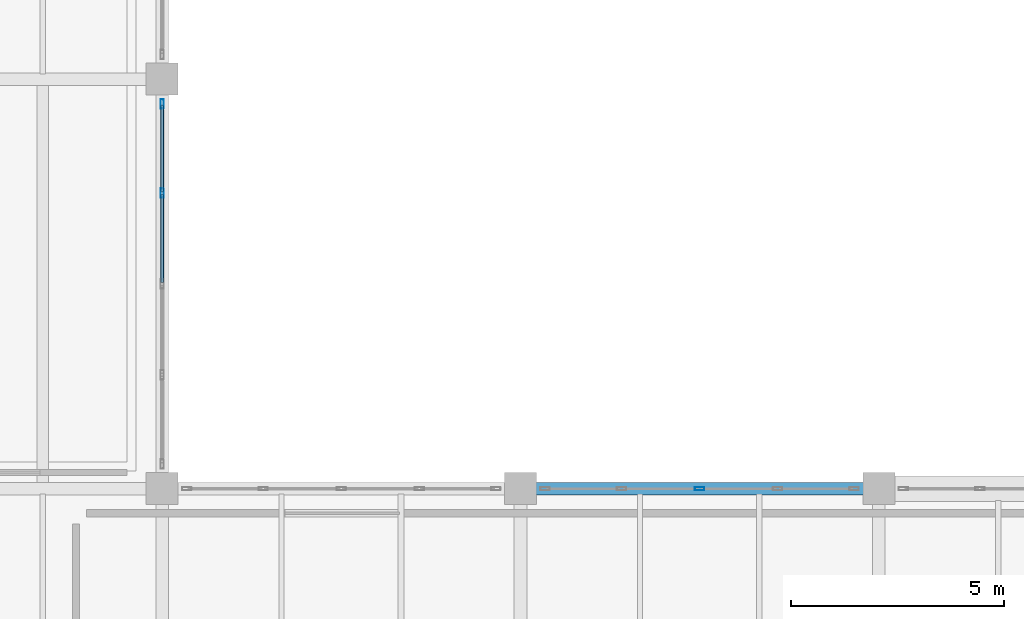
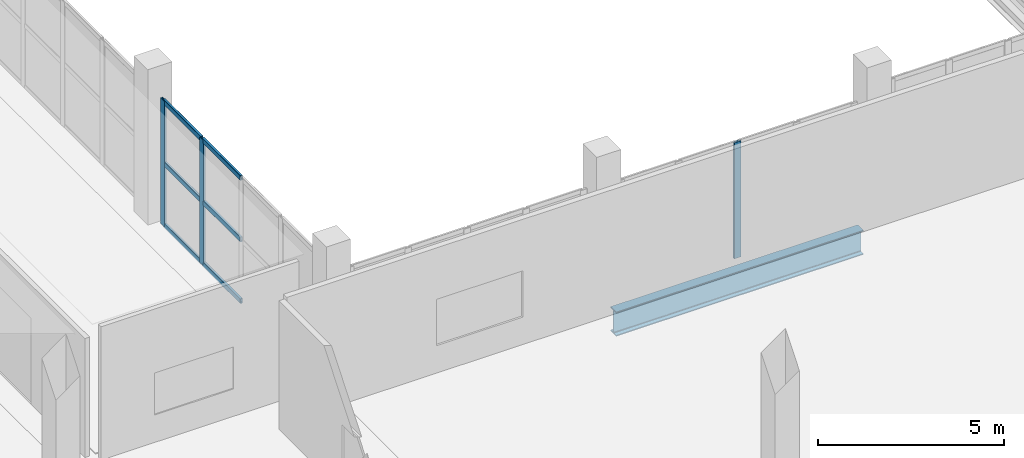
# One storey, part 37 of 77: 9 members, 1 beam, 2 elements without a shape of their own.
"""IFC4 building model written with IfcOpenShell, lengths in metres."""

from ifc_helpers import new_model, si_unit, direction, frame, origin, origin_2d, place, context, subcontext, project, spatial, hollow_rectangle, i_section, extrude, material, layer, layer_set, material_profile, profile_set, type_object, element, aggregate, save


model = new_model("IFC4")

# Units and contexts
model_context = context("Model", 3, precision=1e-05, world=origin(), true_north=direction((0.0, 1.0)))
body_context = subcontext(model_context, "Body", "Model", "MODEL_VIEW")
ifc_project = project(units=[si_unit("LENGTHUNIT", "METRE"), si_unit("AREAUNIT", "SQUARE_METRE"), si_unit("VOLUMEUNIT", "CUBIC_METRE"), si_unit("PLANEANGLEUNIT", "RADIAN"), si_unit("MASSUNIT", "GRAM", prefix="KILO")], contexts=[model_context])

# Site, building, storey
site_placement = place(None, origin())
site = spatial("IfcSite", under=ifc_project, at=site_placement, CompositionType="ELEMENT")
building_placement = place(site_placement, origin())
building = spatial("IfcBuilding", under=site, at=building_placement, Name="Zulmaris Art Gallery", CompositionType="ELEMENT")
storey_placement = place(building_placement, frame((0.0, 0.0, 15.60009765625)))
storey = spatial("IfcBuildingStorey", under=building, at=storey_placement, Name="L03", CompositionType="ELEMENT", Elevation=15.60009765625)

# Beam
ifc_material_1 = material(Name="Steel S355J2", Category="steel")
ifc_material_profile_1 = material_profile(ifc_material_1, i_section(OverallWidth=0.300048828125, OverallDepth=0.800048828125, WebThickness=0.017578125, FlangeThickness=0.032958984375, FilletRadius=0.030029296875, at=origin_2d()), Name="HEB 800")
ifc_profile_set_1 = profile_set([ifc_material_profile_1], Name="Steel S355J2")
beam_type = type_object("IfcBeamType", Name="BEAM-BM17", PredefinedType="BEAM", material=ifc_profile_set_1)
beam_placement = place(storey_placement, frame((167.159912109375, 31.199951171875, -0.77001953125), z_axis=(1.0, 0.0, 0.0), x_axis=(0.0, 1.0, 0.0)))
element("IfcBeam", 1, at=beam_placement, inside=storey, type_object=beam_type, Name="L03 X-girder (166.8..175.2, y=31.2)", PredefinedType="BEAM", context=body_context, shape_type="SweptSolid", body=[
    extrude(i_section(OverallWidth=0.300048828125, OverallDepth=0.800048828125, WebThickness=0.017578125, FlangeThickness=0.032958984375, FilletRadius=0.030029296875, at=origin_2d()), origin(), (0.0, 0.0, 1.0), 7.68017578125),
])

# Curtain wall, members
ifc_material_2 = material(Name="Courtyard Artists Studio Curtain Wall", Category="aluminium")
ifc_layer = layer(ifc_material_2, 0.179931640625)
ifc_layer_set = layer_set([ifc_layer], Name="Courtyard Artists Studio Curtain Wall")
curtain_wall_type = type_object("IfcCurtainWallType", Name="CW-CW04", PredefinedType="NOTDEFINED", material=ifc_layer_set)
curtain_wall_1_placement = place(storey_placement, origin())
curtain_wall_1 = element("IfcCurtainWall", 2, at=curtain_wall_1_placement, inside=storey, type_object=curtain_wall_type, Name="L03 curtain wall 147", PredefinedType="NOTDEFINED")
ifc_material_3 = material(Name="Anodised Bronze Aluminium", Category="aluminium")
ifc_material_profile_2 = material_profile(ifc_material_3, hollow_rectangle(XDim=0.074951171875, YDim=0.219970703125, WallThickness=0.0048828125, InnerFilletRadius=0.007568359375, OuterFilletRadius=0.012451171875, at=origin_2d()), Name="ALU 75x220x5")
ifc_profile_set_2 = profile_set([ifc_material_profile_2], Name="Anodised Bronze Aluminium")
member_type_1 = type_object("IfcMemberType", Name="CWMUL-02", PredefinedType="MULLION", material=ifc_profile_set_2)
member_1_placement = place(storey_placement, frame((158.39990234375, 38.1298828125, 0.0), z_axis=(0.0, 0.0, 1.0), x_axis=(-1.0, 0.0, 0.0)))
member_1 = element("IfcMember", 3, at=member_1_placement, type_object=member_type_1, Name="CW04 mullion 4", PredefinedType="MULLION", context=body_context, shape_type="SweptSolid", body=[
    extrude(hollow_rectangle(XDim=0.074951171875, YDim=0.219970703125, WallThickness=0.0048828125, InnerFilletRadius=0.007568359375, OuterFilletRadius=0.012451171875, at=origin_2d()), origin(), (0.0, 0.0, 1.0), 4.119873046875),
])
member_2_placement = place(storey_placement, frame((158.39990234375, 40.222412109375, 0.0), z_axis=(0.0, 0.0, 1.0), x_axis=(-1.0, 0.0, 0.0)))
member_2 = element("IfcMember", 4, at=member_2_placement, type_object=member_type_1, Name="CW04 mullion 5", PredefinedType="MULLION", context=body_context, shape_type="SweptSolid", body=[
    extrude(hollow_rectangle(XDim=0.074951171875, YDim=0.219970703125, WallThickness=0.0048828125, InnerFilletRadius=0.007568359375, OuterFilletRadius=0.012451171875, at=origin_2d()), origin(), (0.0, 0.0, 1.0), 4.119873046875),
])

# Curtain wall, member
curtain_wall_2_placement = place(storey_placement, origin())
curtain_wall_2 = element("IfcCurtainWall", 5, at=curtain_wall_2_placement, inside=storey, type_object=curtain_wall_type, Name="L03 curtain wall 156", PredefinedType="NOTDEFINED")
member_3_placement = place(storey_placement, frame((171.0, 31.199951171875, 0.0), z_axis=(0.0, 0.0, 1.0), x_axis=(0.0, 1.0, 0.0)))
member_3 = element("IfcMember", 6, at=member_3_placement, type_object=member_type_1, Name="CW04 mullion 3", PredefinedType="MULLION", context=body_context, shape_type="SweptSolid", body=[
    extrude(hollow_rectangle(XDim=0.074951171875, YDim=0.219970703125, WallThickness=0.0048828125, InnerFilletRadius=0.007568359375, OuterFilletRadius=0.012451171875, at=origin_2d()), origin(), (0.0, 0.0, 1.0), 3.809814453125),
])
aggregate(curtain_wall_2, [member_3])

# Member
ifc_material_profile_3 = material_profile(ifc_material_3, hollow_rectangle(XDim=0.074951171875, YDim=0.159912109375, WallThickness=0.00390625, InnerFilletRadius=0.006103515625, OuterFilletRadius=0.010009765625, at=origin_2d()), Name="ALU 75x160x4")
ifc_profile_set_3 = profile_set([ifc_material_profile_3], Name="Anodised Bronze Aluminium")
member_type_2 = type_object("IfcMemberType", Name="CWTRN-02", PredefinedType="USERDEFINED", material=ifc_profile_set_3)
member_4_placement = place(storey_placement, frame((158.39990234375, 36.03759765625, 0.037353515625), z_axis=(0.0, 1.0, 0.0), x_axis=(-1.0, 0.0, 0.0)))
member_4 = element("IfcMember", 7, at=member_4_placement, type_object=member_type_2, Name="CW04 transom 3.1", ObjectType="TRANSOM", PredefinedType="USERDEFINED", context=body_context, shape_type="SweptSolid", body=[
    extrude(hollow_rectangle(XDim=0.074951171875, YDim=0.159912109375, WallThickness=0.00390625, InnerFilletRadius=0.006103515625, OuterFilletRadius=0.010009765625, at=origin_2d()), origin(), (0.0, 0.0, 1.0), 2.054931640625),
])

member_5_placement = place(storey_placement, frame((158.39990234375, 36.03759765625, 2.059814453125), z_axis=(0.0, 1.0, 0.0), x_axis=(-1.0, 0.0, 0.0)))
member_5 = element("IfcMember", 8, at=member_5_placement, type_object=member_type_2, Name="CW04 transom 3.2", ObjectType="TRANSOM", PredefinedType="USERDEFINED", context=body_context, shape_type="SweptSolid", body=[
    extrude(hollow_rectangle(XDim=0.074951171875, YDim=0.159912109375, WallThickness=0.00390625, InnerFilletRadius=0.006103515625, OuterFilletRadius=0.010009765625, at=origin_2d()), origin(), (0.0, 0.0, 1.0), 2.054931640625),
])

member_6_placement = place(storey_placement, frame((158.39990234375, 36.03759765625, 4.08251953125), z_axis=(0.0, 1.0, 0.0), x_axis=(-1.0, 0.0, 0.0)))
member_6 = element("IfcMember", 9, at=member_6_placement, type_object=member_type_2, Name="CW04 transom 3.3", ObjectType="TRANSOM", PredefinedType="USERDEFINED", context=body_context, shape_type="SweptSolid", body=[
    extrude(hollow_rectangle(XDim=0.074951171875, YDim=0.159912109375, WallThickness=0.00390625, InnerFilletRadius=0.006103515625, OuterFilletRadius=0.010009765625, at=origin_2d()), origin(), (0.0, 0.0, 1.0), 2.054931640625),
])

member_7_placement = place(storey_placement, frame((158.39990234375, 38.16748046875, 0.037353515625), z_axis=(0.0, 1.0, 0.0), x_axis=(-1.0, 0.0, 0.0)))
member_7 = element("IfcMember", 10, at=member_7_placement, type_object=member_type_2, Name="CW04 transom 4.1", ObjectType="TRANSOM", PredefinedType="USERDEFINED", context=body_context, shape_type="SweptSolid", body=[
    extrude(hollow_rectangle(XDim=0.074951171875, YDim=0.159912109375, WallThickness=0.00390625, InnerFilletRadius=0.006103515625, OuterFilletRadius=0.010009765625, at=origin_2d()), origin(), (0.0, 0.0, 1.0), 2.017578125),
])

member_8_placement = place(storey_placement, frame((158.39990234375, 38.16748046875, 2.059814453125), z_axis=(0.0, 1.0, 0.0), x_axis=(-1.0, 0.0, 0.0)))
member_8 = element("IfcMember", 11, at=member_8_placement, type_object=member_type_2, Name="CW04 transom 4.2", ObjectType="TRANSOM", PredefinedType="USERDEFINED", context=body_context, shape_type="SweptSolid", body=[
    extrude(hollow_rectangle(XDim=0.074951171875, YDim=0.159912109375, WallThickness=0.00390625, InnerFilletRadius=0.006103515625, OuterFilletRadius=0.010009765625, at=origin_2d()), origin(), (0.0, 0.0, 1.0), 2.017578125),
])

member_9_placement = place(storey_placement, frame((158.39990234375, 38.16748046875, 4.08251953125), z_axis=(0.0, 1.0, 0.0), x_axis=(-1.0, 0.0, 0.0)))
member_9 = element("IfcMember", 12, at=member_9_placement, type_object=member_type_2, Name="CW04 transom 4.3", ObjectType="TRANSOM", PredefinedType="USERDEFINED", context=body_context, shape_type="SweptSolid", body=[
    extrude(hollow_rectangle(XDim=0.074951171875, YDim=0.159912109375, WallThickness=0.00390625, InnerFilletRadius=0.006103515625, OuterFilletRadius=0.010009765625, at=origin_2d()), origin(), (0.0, 0.0, 1.0), 2.017578125),
])

aggregate(curtain_wall_1, [member_1, member_2, member_4, member_5, member_6, member_7, member_8, member_9])

save(model, "model.ifc")
